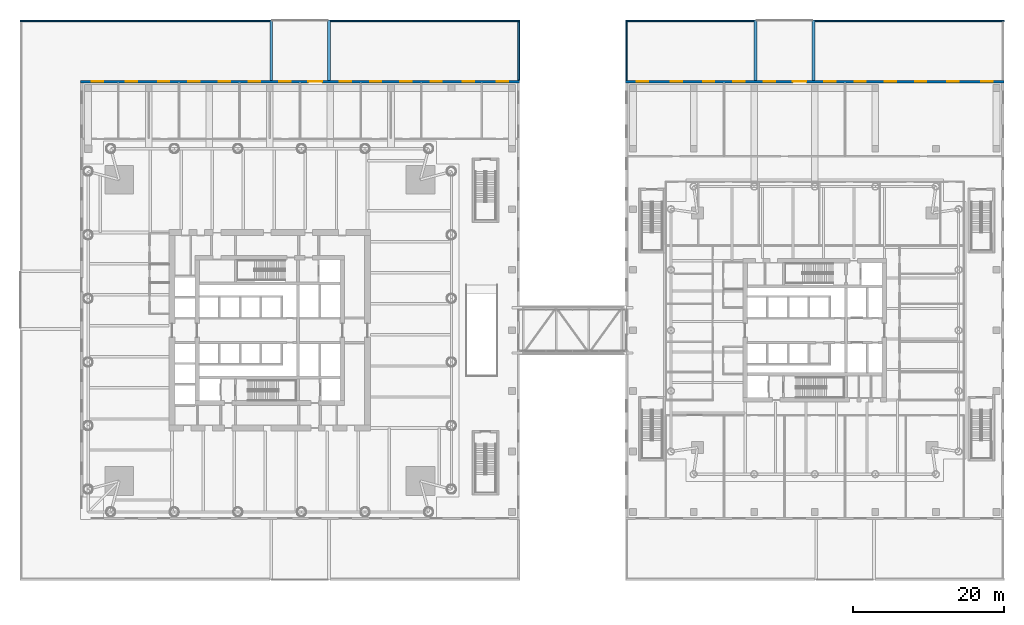
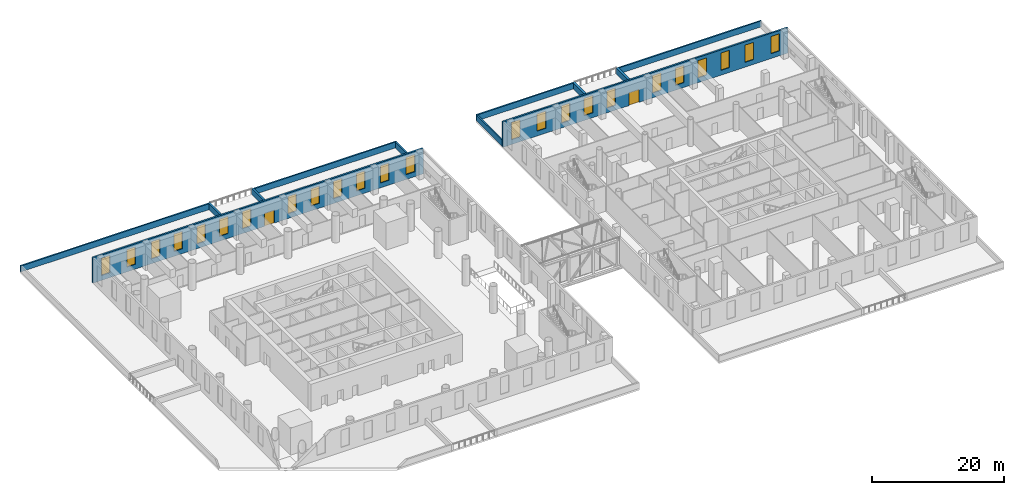
# One storey, part 18 of 23: 24 windows, 12 walls, 2 doors, 26 openings.
"""IFC4 building model written with IfcOpenShell, lengths in metres."""

from ifc_helpers import new_model, si_unit, direction, frame, frame_2d, origin, place, context, subcontext, project, spatial, rectangle, extrude, material, layer, layer_set, type_object, element, fill, save


model = new_model("IFC4")

# Units and contexts
model_context = context("Model", 3, precision=1e-05, world=origin(), true_north=direction((0.0, 1.0)))
body_context = subcontext(model_context, "Body", "Model", "MODEL_VIEW")
ifc_project = project(units=[si_unit("LENGTHUNIT", "METRE"), si_unit("AREAUNIT", "SQUARE_METRE"), si_unit("VOLUMEUNIT", "CUBIC_METRE"), si_unit("PLANEANGLEUNIT", "RADIAN"), si_unit("MASSUNIT", "GRAM", prefix="KILO")], contexts=[model_context])

# Site, building, storey
site_placement = place(None, origin())
site = spatial("IfcSite", under=ifc_project, at=site_placement, CompositionType="ELEMENT")
building_placement = place(site_placement, origin())
building = spatial("IfcBuilding", under=site, at=building_placement, Name="Ostroluk Exchange", CompositionType="ELEMENT")
storey_placement = place(building_placement, frame((0.0, 0.0, 11.0)))
storey = spatial("IfcBuildingStorey", under=building, at=storey_placement, Name="L02", CompositionType="ELEMENT", Elevation=11.0)

# Walls
ifc_material_1 = material(Name="Limestone", Category="masonry")
ifc_layer_1 = layer(ifc_material_1, 0.25)
ifc_layer_set_1 = layer_set([ifc_layer_1], Name="Green roof parapet 250")
wall_type_1 = type_object("IfcWallType", Name="Green roof parapet 250", PredefinedType="PARAPET", material=ifc_layer_set_1)
wall_1_placement = place(storey_placement, frame((12.0, 86.875, 0.0), z_axis=(0.0, 0.0, 1.0), x_axis=(1.0, 0.0, 0.0)))
element("IfcWall", 1, at=wall_1_placement, inside=storey, type_object=wall_type_1, Name="Green roof parapet L02 2", PredefinedType="PARAPET", context=body_context, shape_type="SweptSolid", body=[
    extrude(rectangle(XDim=32.989990234375, YDim=0.25, at=frame_2d((16.4951171875, 0.0))), origin(), (0.0, 0.0, 1.0), 1.10009765625),
])
wall_2_placement = place(storey_placement, frame((53.010009765625, 86.875, 0.0), z_axis=(0.0, 0.0, 1.0), x_axis=(1.0, 0.0, 0.0)))
element("IfcWall", 2, at=wall_2_placement, inside=storey, type_object=wall_type_1, Name="Green roof parapet L02 1", PredefinedType="PARAPET", context=body_context, shape_type="SweptSolid", body=[
    extrude(rectangle(XDim=24.989990234375, YDim=0.25, at=frame_2d((12.4951171875, 0.0))), origin(), (0.0, 0.0, 1.0), 1.10009765625),
])
for number, where, z_axis, x_axis, name in (
    (3, (77.875, 79.010009765625, 0.0), (0.0, 0.0, 1.0), (0.0, 1.0, 0.0), "Green roof parapet L02 2"),
    (4, (92.125, 79.010009765625, 0.0), (0.0, 0.0, 1.0), (0.0, 1.0, 0.0), "Green roof parapet L02 1"),
):
    element("IfcWall", number, at=place(storey_placement, frame(where, z_axis=z_axis, x_axis=x_axis)), inside=storey, type_object=wall_type_1, Name=name, PredefinedType="PARAPET", context=body_context, shape_type="SweptSolid", body=[
        extrude(rectangle(XDim=7.739990234375, YDim=0.25, at=frame_2d((3.8701171875, 0.0))), origin(), (0.0, 0.0, 1.0), 1.10009765625),
    ])
wall_3_placement = place(storey_placement, frame((92.0, 86.875, 0.0), z_axis=(0.0, 0.0, 1.0), x_axis=(1.0, 0.0, 0.0)))
element("IfcWall", 5, at=wall_3_placement, inside=storey, type_object=wall_type_1, Name="Green roof parapet L02 2", PredefinedType="PARAPET", context=body_context, shape_type="SweptSolid", body=[
    extrude(rectangle(XDim=16.989990234375, YDim=0.25, at=frame_2d((8.4951171875, 0.0))), origin(), (0.0, 0.0, 1.0), 1.10009765625),
])
wall_4_placement = place(storey_placement, frame((117.010009765625, 86.875, 0.0), z_axis=(0.0, 0.0, 1.0), x_axis=(1.0, 0.0, 0.0)))
element("IfcWall", 6, at=wall_4_placement, inside=storey, type_object=wall_type_1, Name="Green roof parapet L02 1", PredefinedType="PARAPET", context=body_context, shape_type="SweptSolid", body=[
    extrude(rectangle(XDim=24.989990234375, YDim=0.25, at=frame_2d((12.4951171875, 0.0))), origin(), (0.0, 0.0, 1.0), 1.10009765625),
])

# Wall, openings, windows, door
ifc_material_2 = material(Name="Limestone", Category="masonry")
ifc_layer_2 = layer(ifc_material_2, 0.300048828125)
ifc_layer_set_2 = layer_set([ifc_layer_2], Name="Limestone facade wall 300")
wall_type_2 = type_object("IfcWallType", Name="Limestone facade wall 300", PredefinedType="SOLIDWALL", material=ifc_layer_set_2)
wall_5_placement = place(storey_placement, frame((78.0, 78.85009765625, 0.0), z_axis=(0.0, 0.0, 1.0), x_axis=(-1.0, 0.0, 0.0)))
wall_5 = element("IfcWall", 7, at=wall_5_placement, inside=storey, type_object=wall_type_2, Name="Podium west N wall L02 1a", PredefinedType="SOLIDWALL", context=body_context, shape_type="SweptSolid", body=[
    extrude(rectangle(XDim=58.0, YDim=0.300048828125, at=frame_2d((29.0, 0.0))), origin(), (0.0, 0.0, 1.0), 4.699951171875),
])
opening_1_placement = place(wall_5_placement, frame((1.5, 0.0, 0.89990234375)))
opening_1 = element("IfcOpeningElement", 8, at=opening_1_placement, cuts=wall_5, Name="Opening WN-L2", PredefinedType="OPENING", context=body_context, shape_type="SweptSolid", body=[
    extrude(rectangle(XDim=1.5, YDim=3.199951171875, at=frame_2d((0.75, 1.60009765625))), frame((0.0, 0.159912109375, 0.0), z_axis=(0.0, -1.0, 0.0), x_axis=(1.0, 0.0, 0.0)), (0.0, 0.0, 1.0), 0.320068359375),
])
opening_2_placement = place(wall_5_placement, frame((6.0, 0.0, 0.89990234375)))
opening_2 = element("IfcOpeningElement", 9, at=opening_2_placement, cuts=wall_5, Name="Opening WN-L2", PredefinedType="OPENING", context=body_context, shape_type="SweptSolid", body=[
    extrude(rectangle(XDim=1.5, YDim=3.199951171875, at=frame_2d((0.75, 1.60009765625))), frame((0.0, 0.159912109375, 0.0), z_axis=(0.0, -1.0, 0.0), x_axis=(1.0, 0.0, 0.0)), (0.0, 0.0, 1.0), 0.320068359375),
])
opening_3_placement = place(wall_5_placement, frame((10.25, 0.0, 0.89990234375)))
opening_3 = element("IfcOpeningElement", 10, at=opening_3_placement, cuts=wall_5, Name="Opening WN-L2", PredefinedType="OPENING", context=body_context, shape_type="SweptSolid", body=[
    extrude(rectangle(XDim=1.5, YDim=3.199951171875, at=frame_2d((0.75, 1.60009765625))), frame((0.0, 0.159912109375, 0.0), z_axis=(0.0, -1.0, 0.0), x_axis=(1.0, 0.0, 0.0)), (0.0, 0.0, 1.0), 0.320068359375),
])
opening_4_placement = place(wall_5_placement, frame((14.25, 0.0, 0.89990234375)))
opening_4 = element("IfcOpeningElement", 11, at=opening_4_placement, cuts=wall_5, Name="Opening WN-L2", PredefinedType="OPENING", context=body_context, shape_type="SweptSolid", body=[
    extrude(rectangle(XDim=1.5, YDim=3.199951171875, at=frame_2d((0.75, 1.60009765625))), frame((0.0, 0.159912109375, 0.0), z_axis=(0.0, -1.0, 0.0), x_axis=(1.0, 0.0, 0.0)), (0.0, 0.0, 1.0), 0.320068359375),
])
opening_5_placement = place(wall_5_placement, frame((18.25, 0.0, 0.89990234375)))
opening_5 = element("IfcOpeningElement", 12, at=opening_5_placement, cuts=wall_5, Name="Opening WN-L2", PredefinedType="OPENING", context=body_context, shape_type="SweptSolid", body=[
    extrude(rectangle(XDim=1.5, YDim=3.199951171875, at=frame_2d((0.75, 1.60009765625))), frame((0.0, 0.159912109375, 0.0), z_axis=(0.0, -1.0, 0.0), x_axis=(1.0, 0.0, 0.0)), (0.0, 0.0, 1.0), 0.320068359375),
])
opening_6_placement = place(wall_5_placement, frame((22.25, 0.0, 0.89990234375)))
opening_6 = element("IfcOpeningElement", 13, at=opening_6_placement, cuts=wall_5, Name="Opening WN-L2", PredefinedType="OPENING", context=body_context, shape_type="SweptSolid", body=[
    extrude(rectangle(XDim=1.5, YDim=3.199951171875, at=frame_2d((0.75, 1.60009765625))), frame((0.0, 0.159912109375, 0.0), z_axis=(0.0, -1.0, 0.0), x_axis=(1.0, 0.0, 0.0)), (0.0, 0.0, 1.0), 0.320068359375),
])
opening_7_placement = place(wall_5_placement, frame((26.10009765625, 0.0, 0.0)))
opening_7 = element("IfcOpeningElement", 14, at=opening_7_placement, cuts=wall_5, Name="Opening D-T1", PredefinedType="OPENING", context=body_context, shape_type="SweptSolid", body=[
    extrude(rectangle(XDim=1.800048828125, YDim=2.39990234375, at=frame_2d((0.89990234375, 1.199951171875))), frame((0.0, 0.159912109375, 0.0), z_axis=(0.0, -1.0, 0.0), x_axis=(1.0, 0.0, 0.0)), (0.0, 0.0, 1.0), 0.320068359375),
])
opening_8_placement = place(wall_5_placement, frame((30.25, 0.0, 0.89990234375)))
opening_8 = element("IfcOpeningElement", 15, at=opening_8_placement, cuts=wall_5, Name="Opening WN-L2", PredefinedType="OPENING", context=body_context, shape_type="SweptSolid", body=[
    extrude(rectangle(XDim=1.5, YDim=3.199951171875, at=frame_2d((0.75, 1.60009765625))), frame((0.0, 0.159912109375, 0.0), z_axis=(0.0, -1.0, 0.0), x_axis=(1.0, 0.0, 0.0)), (0.0, 0.0, 1.0), 0.320068359375),
])
opening_9_placement = place(wall_5_placement, frame((34.25, 0.0, 0.89990234375)))
opening_9 = element("IfcOpeningElement", 16, at=opening_9_placement, cuts=wall_5, Name="Opening WN-L2", PredefinedType="OPENING", context=body_context, shape_type="SweptSolid", body=[
    extrude(rectangle(XDim=1.5, YDim=3.199951171875, at=frame_2d((0.75, 1.60009765625))), frame((0.0, 0.159912109375, 0.0), z_axis=(0.0, -1.0, 0.0), x_axis=(1.0, 0.0, 0.0)), (0.0, 0.0, 1.0), 0.320068359375),
])
opening_10_placement = place(wall_5_placement, frame((38.25, 0.0, 0.89990234375)))
opening_10 = element("IfcOpeningElement", 17, at=opening_10_placement, cuts=wall_5, Name="Opening WN-L2", PredefinedType="OPENING", context=body_context, shape_type="SweptSolid", body=[
    extrude(rectangle(XDim=1.5, YDim=3.199951171875, at=frame_2d((0.75, 1.60009765625))), frame((0.0, 0.159912109375, 0.0), z_axis=(0.0, -1.0, 0.0), x_axis=(1.0, 0.0, 0.0)), (0.0, 0.0, 1.0), 0.320068359375),
])
opening_11_placement = place(wall_5_placement, frame((42.25, 0.0, 0.89990234375)))
opening_11 = element("IfcOpeningElement", 18, at=opening_11_placement, cuts=wall_5, Name="Opening WN-L2", PredefinedType="OPENING", context=body_context, shape_type="SweptSolid", body=[
    extrude(rectangle(XDim=1.5, YDim=3.199951171875, at=frame_2d((0.75, 1.60009765625))), frame((0.0, 0.159912109375, 0.0), z_axis=(0.0, -1.0, 0.0), x_axis=(1.0, 0.0, 0.0)), (0.0, 0.0, 1.0), 0.320068359375),
])
opening_12_placement = place(wall_5_placement, frame((46.25, 0.0, 0.89990234375)))
opening_12 = element("IfcOpeningElement", 19, at=opening_12_placement, cuts=wall_5, Name="Opening WN-L2", PredefinedType="OPENING", context=body_context, shape_type="SweptSolid", body=[
    extrude(rectangle(XDim=1.5, YDim=3.199951171875, at=frame_2d((0.75, 1.60009765625))), frame((0.0, 0.159912109375, 0.0), z_axis=(0.0, -1.0, 0.0), x_axis=(1.0, 0.0, 0.0)), (0.0, 0.0, 1.0), 0.320068359375),
])
opening_13_placement = place(wall_5_placement, frame((50.5, 0.0, 0.89990234375)))
opening_13 = element("IfcOpeningElement", 20, at=opening_13_placement, cuts=wall_5, Name="Opening WN-L2", PredefinedType="OPENING", context=body_context, shape_type="SweptSolid", body=[
    extrude(rectangle(XDim=1.5, YDim=3.199951171875, at=frame_2d((0.75, 1.60009765625))), frame((0.0, 0.159912109375, 0.0), z_axis=(0.0, -1.0, 0.0), x_axis=(1.0, 0.0, 0.0)), (0.0, 0.0, 1.0), 0.320068359375),
])
opening_14_placement = place(wall_5_placement, frame((55.0, 0.0, 0.89990234375)))
opening_14 = element("IfcOpeningElement", 21, at=opening_14_placement, cuts=wall_5, Name="Opening WN-L2", PredefinedType="OPENING", context=body_context, shape_type="SweptSolid", body=[
    extrude(rectangle(XDim=1.5, YDim=3.199951171875, at=frame_2d((0.75, 1.60009765625))), frame((0.0, 0.159912109375, 0.0), z_axis=(0.0, -1.0, 0.0), x_axis=(1.0, 0.0, 0.0)), (0.0, 0.0, 1.0), 0.320068359375),
])
ifc_material_3 = material(Name="Laminated clear glass", Category="glass")
window_type = type_object("IfcWindowType", Name="Podium lancet window 1500 x 3200", PartitioningType="DOUBLE_PANEL_VERTICAL", PredefinedType="WINDOW", material=ifc_material_3)
window_1_placement = place(opening_1_placement, origin())
window_1 = element("IfcWindow", 22, at=window_1_placement, inside=storey, type_object=window_type, Name="Podium west lancet window N L02 1.1", OverallHeight=3.199951171875, OverallWidth=1.5, PartitioningType="SINGLE_PANEL", PredefinedType="WINDOW", context=body_context, shape_type="SweptSolid", body=[
    extrude(rectangle(XDim=1.5, YDim=3.199951171875, at=frame_2d((0.75, 1.60009765625))), frame((0.0, 0.030029296875, 0.0), z_axis=(0.0, -1.0, 0.0), x_axis=(1.0, 0.0, 0.0)), (0.0, 0.0, 1.0), 0.06005859375),
])
fill(opening_1, window_1)
window_2_placement = place(opening_2_placement, origin())
window_2 = element("IfcWindow", 23, at=window_2_placement, inside=storey, type_object=window_type, Name="Podium west lancet window N L02 1.2", OverallHeight=3.199951171875, OverallWidth=1.5, PartitioningType="SINGLE_PANEL", PredefinedType="WINDOW", context=body_context, shape_type="SweptSolid", body=[
    extrude(rectangle(XDim=1.5, YDim=3.199951171875, at=frame_2d((0.75, 1.60009765625))), frame((0.0, 0.030029296875, 0.0), z_axis=(0.0, -1.0, 0.0), x_axis=(1.0, 0.0, 0.0)), (0.0, 0.0, 1.0), 0.06005859375),
])
fill(opening_2, window_2)
window_3_placement = place(opening_3_placement, origin())
window_3 = element("IfcWindow", 24, at=window_3_placement, inside=storey, type_object=window_type, Name="Podium west lancet window N L02 2.1", OverallHeight=3.199951171875, OverallWidth=1.5, PartitioningType="SINGLE_PANEL", PredefinedType="WINDOW", context=body_context, shape_type="SweptSolid", body=[
    extrude(rectangle(XDim=1.5, YDim=3.199951171875, at=frame_2d((0.75, 1.60009765625))), frame((0.0, 0.030029296875, 0.0), z_axis=(0.0, -1.0, 0.0), x_axis=(1.0, 0.0, 0.0)), (0.0, 0.0, 1.0), 0.06005859375),
])
fill(opening_3, window_3)
window_4_placement = place(opening_4_placement, origin())
window_4 = element("IfcWindow", 25, at=window_4_placement, inside=storey, type_object=window_type, Name="Podium west lancet window N L02 2.2", OverallHeight=3.199951171875, OverallWidth=1.5, PartitioningType="SINGLE_PANEL", PredefinedType="WINDOW", context=body_context, shape_type="SweptSolid", body=[
    extrude(rectangle(XDim=1.5, YDim=3.199951171875, at=frame_2d((0.75, 1.60009765625))), frame((0.0, 0.030029296875, 0.0), z_axis=(0.0, -1.0, 0.0), x_axis=(1.0, 0.0, 0.0)), (0.0, 0.0, 1.0), 0.06005859375),
])
fill(opening_4, window_4)
window_5_placement = place(opening_5_placement, origin())
window_5 = element("IfcWindow", 26, at=window_5_placement, inside=storey, type_object=window_type, Name="Podium west lancet window N L02 3.1", OverallHeight=3.199951171875, OverallWidth=1.5, PartitioningType="SINGLE_PANEL", PredefinedType="WINDOW", context=body_context, shape_type="SweptSolid", body=[
    extrude(rectangle(XDim=1.5, YDim=3.199951171875, at=frame_2d((0.75, 1.60009765625))), frame((0.0, 0.030029296875, 0.0), z_axis=(0.0, -1.0, 0.0), x_axis=(1.0, 0.0, 0.0)), (0.0, 0.0, 1.0), 0.06005859375),
])
fill(opening_5, window_5)
window_6_placement = place(opening_6_placement, origin())
window_6 = element("IfcWindow", 27, at=window_6_placement, inside=storey, type_object=window_type, Name="Podium west lancet window N L02 3.2", OverallHeight=3.199951171875, OverallWidth=1.5, PartitioningType="SINGLE_PANEL", PredefinedType="WINDOW", context=body_context, shape_type="SweptSolid", body=[
    extrude(rectangle(XDim=1.5, YDim=3.199951171875, at=frame_2d((0.75, 1.60009765625))), frame((0.0, 0.030029296875, 0.0), z_axis=(0.0, -1.0, 0.0), x_axis=(1.0, 0.0, 0.0)), (0.0, 0.0, 1.0), 0.06005859375),
])
fill(opening_6, window_6)
window_7_placement = place(opening_8_placement, origin())
window_7 = element("IfcWindow", 28, at=window_7_placement, inside=storey, type_object=window_type, Name="Podium west lancet window N L02 4.2", OverallHeight=3.199951171875, OverallWidth=1.5, PartitioningType="SINGLE_PANEL", PredefinedType="WINDOW", context=body_context, shape_type="SweptSolid", body=[
    extrude(rectangle(XDim=1.5, YDim=3.199951171875, at=frame_2d((0.75, 1.60009765625))), frame((0.0, 0.030029296875, 0.0), z_axis=(0.0, -1.0, 0.0), x_axis=(1.0, 0.0, 0.0)), (0.0, 0.0, 1.0), 0.06005859375),
])
fill(opening_8, window_7)
window_8_placement = place(opening_9_placement, origin())
window_8 = element("IfcWindow", 29, at=window_8_placement, inside=storey, type_object=window_type, Name="Podium west lancet window N L02 5.1", OverallHeight=3.199951171875, OverallWidth=1.5, PartitioningType="SINGLE_PANEL", PredefinedType="WINDOW", context=body_context, shape_type="SweptSolid", body=[
    extrude(rectangle(XDim=1.5, YDim=3.199951171875, at=frame_2d((0.75, 1.60009765625))), frame((0.0, 0.030029296875, 0.0), z_axis=(0.0, -1.0, 0.0), x_axis=(1.0, 0.0, 0.0)), (0.0, 0.0, 1.0), 0.06005859375),
])
fill(opening_9, window_8)
window_9_placement = place(opening_10_placement, origin())
window_9 = element("IfcWindow", 30, at=window_9_placement, inside=storey, type_object=window_type, Name="Podium west lancet window N L02 5.2", OverallHeight=3.199951171875, OverallWidth=1.5, PartitioningType="SINGLE_PANEL", PredefinedType="WINDOW", context=body_context, shape_type="SweptSolid", body=[
    extrude(rectangle(XDim=1.5, YDim=3.199951171875, at=frame_2d((0.75, 1.60009765625))), frame((0.0, 0.030029296875, 0.0), z_axis=(0.0, -1.0, 0.0), x_axis=(1.0, 0.0, 0.0)), (0.0, 0.0, 1.0), 0.06005859375),
])
fill(opening_10, window_9)
window_10_placement = place(opening_11_placement, origin())
window_10 = element("IfcWindow", 31, at=window_10_placement, inside=storey, type_object=window_type, Name="Podium west lancet window N L02 6.1", OverallHeight=3.199951171875, OverallWidth=1.5, PartitioningType="SINGLE_PANEL", PredefinedType="WINDOW", context=body_context, shape_type="SweptSolid", body=[
    extrude(rectangle(XDim=1.5, YDim=3.199951171875, at=frame_2d((0.75, 1.60009765625))), frame((0.0, 0.030029296875, 0.0), z_axis=(0.0, -1.0, 0.0), x_axis=(1.0, 0.0, 0.0)), (0.0, 0.0, 1.0), 0.06005859375),
])
fill(opening_11, window_10)
window_11_placement = place(opening_12_placement, origin())
window_11 = element("IfcWindow", 32, at=window_11_placement, inside=storey, type_object=window_type, Name="Podium west lancet window N L02 6.2", OverallHeight=3.199951171875, OverallWidth=1.5, PartitioningType="SINGLE_PANEL", PredefinedType="WINDOW", context=body_context, shape_type="SweptSolid", body=[
    extrude(rectangle(XDim=1.5, YDim=3.199951171875, at=frame_2d((0.75, 1.60009765625))), frame((0.0, 0.030029296875, 0.0), z_axis=(0.0, -1.0, 0.0), x_axis=(1.0, 0.0, 0.0)), (0.0, 0.0, 1.0), 0.06005859375),
])
fill(opening_12, window_11)
window_12_placement = place(opening_13_placement, origin())
window_12 = element("IfcWindow", 33, at=window_12_placement, inside=storey, type_object=window_type, Name="Podium west lancet window N L02 7.1", OverallHeight=3.199951171875, OverallWidth=1.5, PartitioningType="SINGLE_PANEL", PredefinedType="WINDOW", context=body_context, shape_type="SweptSolid", body=[
    extrude(rectangle(XDim=1.5, YDim=3.199951171875, at=frame_2d((0.75, 1.60009765625))), frame((0.0, 0.030029296875, 0.0), z_axis=(0.0, -1.0, 0.0), x_axis=(1.0, 0.0, 0.0)), (0.0, 0.0, 1.0), 0.06005859375),
])
fill(opening_13, window_12)
window_13_placement = place(opening_14_placement, origin())
window_13 = element("IfcWindow", 34, at=window_13_placement, inside=storey, type_object=window_type, Name="Podium west lancet window N L02 7.2", OverallHeight=3.199951171875, OverallWidth=1.5, PartitioningType="SINGLE_PANEL", PredefinedType="WINDOW", context=body_context, shape_type="SweptSolid", body=[
    extrude(rectangle(XDim=1.5, YDim=3.199951171875, at=frame_2d((0.75, 1.60009765625))), frame((0.0, 0.030029296875, 0.0), z_axis=(0.0, -1.0, 0.0), x_axis=(1.0, 0.0, 0.0)), (0.0, 0.0, 1.0), 0.06005859375),
])
fill(opening_14, window_13)
ifc_material_4 = material(Name="Bronze framed glazed door", Category="aluminium")
door_type = type_object("IfcDoorType", Name="Terrace double door 1800 x 2400", OperationType="DOUBLE_DOOR_SINGLE_SWING", PredefinedType="DOOR", material=ifc_material_4)
door_1_placement = place(opening_7_placement, origin())
door_1 = element("IfcDoor", 35, at=door_1_placement, inside=storey, type_object=door_type, Name="Podium west terrace door N L02 4", OperationType="DOUBLE_DOOR_SINGLE_SWING", OverallHeight=2.39990234375, OverallWidth=1.800048828125, PredefinedType="DOOR", context=body_context, shape_type="SweptSolid", body=[
    extrude(rectangle(XDim=1.800048828125, YDim=2.39990234375, at=frame_2d((0.89990234375, 1.199951171875))), frame((0.0, 0.02490234375, 0.0), z_axis=(0.0, -1.0, 0.0), x_axis=(1.0, 0.0, 0.0)), (0.0, 0.0, 1.0), 0.050048828125),
])
fill(opening_7, door_1)

wall_6_placement = place(storey_placement, frame((142.0, 78.85009765625, 0.0), z_axis=(0.0, 0.0, 1.0), x_axis=(-1.0, 0.0, 0.0)))
wall_6 = element("IfcWall", 36, at=wall_6_placement, inside=storey, type_object=wall_type_2, Name="Podium east N wall L02 1a", PredefinedType="SOLIDWALL", context=body_context, shape_type="SweptSolid", body=[
    extrude(rectangle(XDim=50.0, YDim=0.300048828125, at=frame_2d((25.0, 0.0))), origin(), (0.0, 0.0, 1.0), 4.699951171875),
])
opening_15_placement = place(wall_6_placement, frame((1.5, 0.0, 0.89990234375)))
opening_15 = element("IfcOpeningElement", 37, at=opening_15_placement, cuts=wall_6, Name="Opening WN-L2", PredefinedType="OPENING", context=body_context, shape_type="SweptSolid", body=[
    extrude(rectangle(XDim=1.5, YDim=3.199951171875, at=frame_2d((0.75, 1.60009765625))), frame((0.0, 0.159912109375, 0.0), z_axis=(0.0, -1.0, 0.0), x_axis=(1.0, 0.0, 0.0)), (0.0, 0.0, 1.0), 0.320068359375),
])
opening_16_placement = place(wall_6_placement, frame((6.0, 0.0, 0.89990234375)))
opening_16 = element("IfcOpeningElement", 38, at=opening_16_placement, cuts=wall_6, Name="Opening WN-L2", PredefinedType="OPENING", context=body_context, shape_type="SweptSolid", body=[
    extrude(rectangle(XDim=1.5, YDim=3.199951171875, at=frame_2d((0.75, 1.60009765625))), frame((0.0, 0.159912109375, 0.0), z_axis=(0.0, -1.0, 0.0), x_axis=(1.0, 0.0, 0.0)), (0.0, 0.0, 1.0), 0.320068359375),
])
opening_17_placement = place(wall_6_placement, frame((10.25, 0.0, 0.89990234375)))
opening_17 = element("IfcOpeningElement", 39, at=opening_17_placement, cuts=wall_6, Name="Opening WN-L2", PredefinedType="OPENING", context=body_context, shape_type="SweptSolid", body=[
    extrude(rectangle(XDim=1.5, YDim=3.199951171875, at=frame_2d((0.75, 1.60009765625))), frame((0.0, 0.159912109375, 0.0), z_axis=(0.0, -1.0, 0.0), x_axis=(1.0, 0.0, 0.0)), (0.0, 0.0, 1.0), 0.320068359375),
])
opening_18_placement = place(wall_6_placement, frame((14.25, 0.0, 0.89990234375)))
opening_18 = element("IfcOpeningElement", 40, at=opening_18_placement, cuts=wall_6, Name="Opening WN-L2", PredefinedType="OPENING", context=body_context, shape_type="SweptSolid", body=[
    extrude(rectangle(XDim=1.5, YDim=3.199951171875, at=frame_2d((0.75, 1.60009765625))), frame((0.0, 0.159912109375, 0.0), z_axis=(0.0, -1.0, 0.0), x_axis=(1.0, 0.0, 0.0)), (0.0, 0.0, 1.0), 0.320068359375),
])
opening_19_placement = place(wall_6_placement, frame((18.25, 0.0, 0.89990234375)))
opening_19 = element("IfcOpeningElement", 41, at=opening_19_placement, cuts=wall_6, Name="Opening WN-L2", PredefinedType="OPENING", context=body_context, shape_type="SweptSolid", body=[
    extrude(rectangle(XDim=1.5, YDim=3.199951171875, at=frame_2d((0.75, 1.60009765625))), frame((0.0, 0.159912109375, 0.0), z_axis=(0.0, -1.0, 0.0), x_axis=(1.0, 0.0, 0.0)), (0.0, 0.0, 1.0), 0.320068359375),
])
opening_20_placement = place(wall_6_placement, frame((22.25, 0.0, 0.89990234375)))
opening_20 = element("IfcOpeningElement", 42, at=opening_20_placement, cuts=wall_6, Name="Opening WN-L2", PredefinedType="OPENING", context=body_context, shape_type="SweptSolid", body=[
    extrude(rectangle(XDim=1.5, YDim=3.199951171875, at=frame_2d((0.75, 1.60009765625))), frame((0.0, 0.159912109375, 0.0), z_axis=(0.0, -1.0, 0.0), x_axis=(1.0, 0.0, 0.0)), (0.0, 0.0, 1.0), 0.320068359375),
])
opening_21_placement = place(wall_6_placement, frame((26.10009765625, 0.0, 0.0)))
opening_21 = element("IfcOpeningElement", 43, at=opening_21_placement, cuts=wall_6, Name="Opening D-T1", PredefinedType="OPENING", context=body_context, shape_type="SweptSolid", body=[
    extrude(rectangle(XDim=1.800048828125, YDim=2.39990234375, at=frame_2d((0.89990234375, 1.199951171875))), frame((0.0, 0.159912109375, 0.0), z_axis=(0.0, -1.0, 0.0), x_axis=(1.0, 0.0, 0.0)), (0.0, 0.0, 1.0), 0.320068359375),
])
opening_22_placement = place(wall_6_placement, frame((30.25, 0.0, 0.89990234375)))
opening_22 = element("IfcOpeningElement", 44, at=opening_22_placement, cuts=wall_6, Name="Opening WN-L2", PredefinedType="OPENING", context=body_context, shape_type="SweptSolid", body=[
    extrude(rectangle(XDim=1.5, YDim=3.199951171875, at=frame_2d((0.75, 1.60009765625))), frame((0.0, 0.159912109375, 0.0), z_axis=(0.0, -1.0, 0.0), x_axis=(1.0, 0.0, 0.0)), (0.0, 0.0, 1.0), 0.320068359375),
])
opening_23_placement = place(wall_6_placement, frame((34.25, 0.0, 0.89990234375)))
opening_23 = element("IfcOpeningElement", 45, at=opening_23_placement, cuts=wall_6, Name="Opening WN-L2", PredefinedType="OPENING", context=body_context, shape_type="SweptSolid", body=[
    extrude(rectangle(XDim=1.5, YDim=3.199951171875, at=frame_2d((0.75, 1.60009765625))), frame((0.0, 0.159912109375, 0.0), z_axis=(0.0, -1.0, 0.0), x_axis=(1.0, 0.0, 0.0)), (0.0, 0.0, 1.0), 0.320068359375),
])
opening_24_placement = place(wall_6_placement, frame((38.25, 0.0, 0.89990234375)))
opening_24 = element("IfcOpeningElement", 46, at=opening_24_placement, cuts=wall_6, Name="Opening WN-L2", PredefinedType="OPENING", context=body_context, shape_type="SweptSolid", body=[
    extrude(rectangle(XDim=1.5, YDim=3.199951171875, at=frame_2d((0.75, 1.60009765625))), frame((0.0, 0.159912109375, 0.0), z_axis=(0.0, -1.0, 0.0), x_axis=(1.0, 0.0, 0.0)), (0.0, 0.0, 1.0), 0.320068359375),
])
opening_25_placement = place(wall_6_placement, frame((42.5, 0.0, 0.89990234375)))
opening_25 = element("IfcOpeningElement", 47, at=opening_25_placement, cuts=wall_6, Name="Opening WN-L2", PredefinedType="OPENING", context=body_context, shape_type="SweptSolid", body=[
    extrude(rectangle(XDim=1.5, YDim=3.199951171875, at=frame_2d((0.75, 1.60009765625))), frame((0.0, 0.159912109375, 0.0), z_axis=(0.0, -1.0, 0.0), x_axis=(1.0, 0.0, 0.0)), (0.0, 0.0, 1.0), 0.320068359375),
])
opening_26_placement = place(wall_6_placement, frame((47.0, 0.0, 0.89990234375)))
opening_26 = element("IfcOpeningElement", 48, at=opening_26_placement, cuts=wall_6, Name="Opening WN-L2", PredefinedType="OPENING", context=body_context, shape_type="SweptSolid", body=[
    extrude(rectangle(XDim=1.5, YDim=3.199951171875, at=frame_2d((0.75, 1.60009765625))), frame((0.0, 0.159912109375, 0.0), z_axis=(0.0, -1.0, 0.0), x_axis=(1.0, 0.0, 0.0)), (0.0, 0.0, 1.0), 0.320068359375),
])
window_14_placement = place(opening_15_placement, origin())
window_14 = element("IfcWindow", 49, at=window_14_placement, inside=storey, type_object=window_type, Name="Podium east lancet window N L02 1.1", OverallHeight=3.199951171875, OverallWidth=1.5, PartitioningType="SINGLE_PANEL", PredefinedType="WINDOW", context=body_context, shape_type="SweptSolid", body=[
    extrude(rectangle(XDim=1.5, YDim=3.199951171875, at=frame_2d((0.75, 1.60009765625))), frame((0.0, 0.030029296875, 0.0), z_axis=(0.0, -1.0, 0.0), x_axis=(1.0, 0.0, 0.0)), (0.0, 0.0, 1.0), 0.06005859375),
])
fill(opening_15, window_14)
window_15_placement = place(opening_16_placement, origin())
window_15 = element("IfcWindow", 50, at=window_15_placement, inside=storey, type_object=window_type, Name="Podium east lancet window N L02 1.2", OverallHeight=3.199951171875, OverallWidth=1.5, PartitioningType="SINGLE_PANEL", PredefinedType="WINDOW", context=body_context, shape_type="SweptSolid", body=[
    extrude(rectangle(XDim=1.5, YDim=3.199951171875, at=frame_2d((0.75, 1.60009765625))), frame((0.0, 0.030029296875, 0.0), z_axis=(0.0, -1.0, 0.0), x_axis=(1.0, 0.0, 0.0)), (0.0, 0.0, 1.0), 0.06005859375),
])
fill(opening_16, window_15)
window_16_placement = place(opening_17_placement, origin())
window_16 = element("IfcWindow", 51, at=window_16_placement, inside=storey, type_object=window_type, Name="Podium east lancet window N L02 2.1", OverallHeight=3.199951171875, OverallWidth=1.5, PartitioningType="SINGLE_PANEL", PredefinedType="WINDOW", context=body_context, shape_type="SweptSolid", body=[
    extrude(rectangle(XDim=1.5, YDim=3.199951171875, at=frame_2d((0.75, 1.60009765625))), frame((0.0, 0.030029296875, 0.0), z_axis=(0.0, -1.0, 0.0), x_axis=(1.0, 0.0, 0.0)), (0.0, 0.0, 1.0), 0.06005859375),
])
fill(opening_17, window_16)
window_17_placement = place(opening_18_placement, origin())
window_17 = element("IfcWindow", 52, at=window_17_placement, inside=storey, type_object=window_type, Name="Podium east lancet window N L02 2.2", OverallHeight=3.199951171875, OverallWidth=1.5, PartitioningType="SINGLE_PANEL", PredefinedType="WINDOW", context=body_context, shape_type="SweptSolid", body=[
    extrude(rectangle(XDim=1.5, YDim=3.199951171875, at=frame_2d((0.75, 1.60009765625))), frame((0.0, 0.030029296875, 0.0), z_axis=(0.0, -1.0, 0.0), x_axis=(1.0, 0.0, 0.0)), (0.0, 0.0, 1.0), 0.06005859375),
])
fill(opening_18, window_17)
window_18_placement = place(opening_19_placement, origin())
window_18 = element("IfcWindow", 53, at=window_18_placement, inside=storey, type_object=window_type, Name="Podium east lancet window N L02 3.1", OverallHeight=3.199951171875, OverallWidth=1.5, PartitioningType="SINGLE_PANEL", PredefinedType="WINDOW", context=body_context, shape_type="SweptSolid", body=[
    extrude(rectangle(XDim=1.5, YDim=3.199951171875, at=frame_2d((0.75, 1.60009765625))), frame((0.0, 0.030029296875, 0.0), z_axis=(0.0, -1.0, 0.0), x_axis=(1.0, 0.0, 0.0)), (0.0, 0.0, 1.0), 0.06005859375),
])
fill(opening_19, window_18)
window_19_placement = place(opening_20_placement, origin())
window_19 = element("IfcWindow", 54, at=window_19_placement, inside=storey, type_object=window_type, Name="Podium east lancet window N L02 3.2", OverallHeight=3.199951171875, OverallWidth=1.5, PartitioningType="SINGLE_PANEL", PredefinedType="WINDOW", context=body_context, shape_type="SweptSolid", body=[
    extrude(rectangle(XDim=1.5, YDim=3.199951171875, at=frame_2d((0.75, 1.60009765625))), frame((0.0, 0.030029296875, 0.0), z_axis=(0.0, -1.0, 0.0), x_axis=(1.0, 0.0, 0.0)), (0.0, 0.0, 1.0), 0.06005859375),
])
fill(opening_20, window_19)
window_20_placement = place(opening_22_placement, origin())
window_20 = element("IfcWindow", 55, at=window_20_placement, inside=storey, type_object=window_type, Name="Podium east lancet window N L02 4.2", OverallHeight=3.199951171875, OverallWidth=1.5, PartitioningType="SINGLE_PANEL", PredefinedType="WINDOW", context=body_context, shape_type="SweptSolid", body=[
    extrude(rectangle(XDim=1.5, YDim=3.199951171875, at=frame_2d((0.75, 1.60009765625))), frame((0.0, 0.030029296875, 0.0), z_axis=(0.0, -1.0, 0.0), x_axis=(1.0, 0.0, 0.0)), (0.0, 0.0, 1.0), 0.06005859375),
])
fill(opening_22, window_20)
window_21_placement = place(opening_23_placement, origin())
window_21 = element("IfcWindow", 56, at=window_21_placement, inside=storey, type_object=window_type, Name="Podium east lancet window N L02 5.1", OverallHeight=3.199951171875, OverallWidth=1.5, PartitioningType="SINGLE_PANEL", PredefinedType="WINDOW", context=body_context, shape_type="SweptSolid", body=[
    extrude(rectangle(XDim=1.5, YDim=3.199951171875, at=frame_2d((0.75, 1.60009765625))), frame((0.0, 0.030029296875, 0.0), z_axis=(0.0, -1.0, 0.0), x_axis=(1.0, 0.0, 0.0)), (0.0, 0.0, 1.0), 0.06005859375),
])
fill(opening_23, window_21)
window_22_placement = place(opening_24_placement, origin())
window_22 = element("IfcWindow", 57, at=window_22_placement, inside=storey, type_object=window_type, Name="Podium east lancet window N L02 5.2", OverallHeight=3.199951171875, OverallWidth=1.5, PartitioningType="SINGLE_PANEL", PredefinedType="WINDOW", context=body_context, shape_type="SweptSolid", body=[
    extrude(rectangle(XDim=1.5, YDim=3.199951171875, at=frame_2d((0.75, 1.60009765625))), frame((0.0, 0.030029296875, 0.0), z_axis=(0.0, -1.0, 0.0), x_axis=(1.0, 0.0, 0.0)), (0.0, 0.0, 1.0), 0.06005859375),
])
fill(opening_24, window_22)
window_23_placement = place(opening_25_placement, origin())
window_23 = element("IfcWindow", 58, at=window_23_placement, inside=storey, type_object=window_type, Name="Podium east lancet window N L02 6.1", OverallHeight=3.199951171875, OverallWidth=1.5, PartitioningType="SINGLE_PANEL", PredefinedType="WINDOW", context=body_context, shape_type="SweptSolid", body=[
    extrude(rectangle(XDim=1.5, YDim=3.199951171875, at=frame_2d((0.75, 1.60009765625))), frame((0.0, 0.030029296875, 0.0), z_axis=(0.0, -1.0, 0.0), x_axis=(1.0, 0.0, 0.0)), (0.0, 0.0, 1.0), 0.06005859375),
])
fill(opening_25, window_23)
window_24_placement = place(opening_26_placement, origin())
window_24 = element("IfcWindow", 59, at=window_24_placement, inside=storey, type_object=window_type, Name="Podium east lancet window N L02 6.2", OverallHeight=3.199951171875, OverallWidth=1.5, PartitioningType="SINGLE_PANEL", PredefinedType="WINDOW", context=body_context, shape_type="SweptSolid", body=[
    extrude(rectangle(XDim=1.5, YDim=3.199951171875, at=frame_2d((0.75, 1.60009765625))), frame((0.0, 0.030029296875, 0.0), z_axis=(0.0, -1.0, 0.0), x_axis=(1.0, 0.0, 0.0)), (0.0, 0.0, 1.0), 0.06005859375),
])
fill(opening_26, window_24)
door_2_placement = place(opening_21_placement, origin())
door_2 = element("IfcDoor", 60, at=door_2_placement, inside=storey, type_object=door_type, Name="Podium east terrace door N L02 4", OperationType="DOUBLE_DOOR_SINGLE_SWING", OverallHeight=2.39990234375, OverallWidth=1.800048828125, PredefinedType="DOOR", context=body_context, shape_type="SweptSolid", body=[
    extrude(rectangle(XDim=1.800048828125, YDim=2.39990234375, at=frame_2d((0.89990234375, 1.199951171875))), frame((0.0, 0.02490234375, 0.0), z_axis=(0.0, -1.0, 0.0), x_axis=(1.0, 0.0, 0.0)), (0.0, 0.0, 1.0), 0.050048828125),
])
fill(opening_21, door_2)

# Walls
ifc_material_5 = material(Name="Limestone", Category="masonry")
ifc_layer_3 = layer(ifc_material_5, 0.35009765625)
ifc_layer_set_3 = layer_set([ifc_layer_3], Name="Planter wall 350")
wall_type_3 = type_object("IfcWallType", Name="Planter wall 350", PredefinedType="PARAPET", material=ifc_layer_set_3)
for number, where, z_axis, x_axis, name in (
    (61, (45.175048828125, 79.0, 0.0), (0.0, 0.0, 1.0), (0.0, 1.0, 0.0), "Terrace planter wall L02 1"),
    (62, (52.824951171875, 79.0, 0.0), (0.0, 0.0, 1.0), (0.0, 1.0, 0.0), "Terrace planter wall L02 2"),
    (63, (109.175048828125, 79.0, 0.0), (0.0, 0.0, 1.0), (0.0, 1.0, 0.0), "Terrace planter wall L02 1"),
    (64, (116.824951171875, 79.0, 0.0), (0.0, 0.0, 1.0), (0.0, 1.0, 0.0), "Terrace planter wall L02 2"),
):
    element("IfcWall", number, at=place(storey_placement, frame(where, z_axis=z_axis, x_axis=x_axis)), inside=storey, type_object=wall_type_3, Name=name, PredefinedType="PARAPET", context=body_context, shape_type="SweptSolid", body=[
        extrude(rectangle(XDim=8.0, YDim=0.35009765625, at=frame_2d((4.0, 0.0))), origin(), (0.0, 0.0, 1.0), 1.10009765625),
    ])

save(model, "model.ifc")
